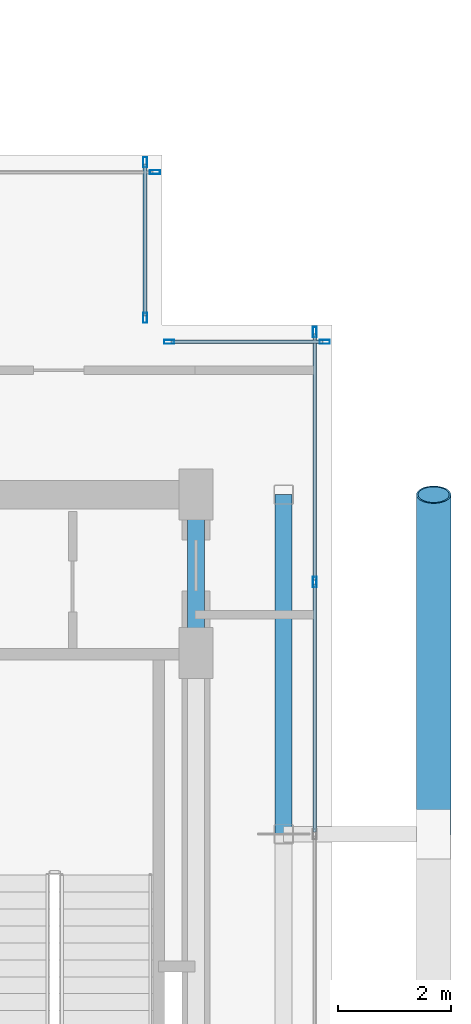
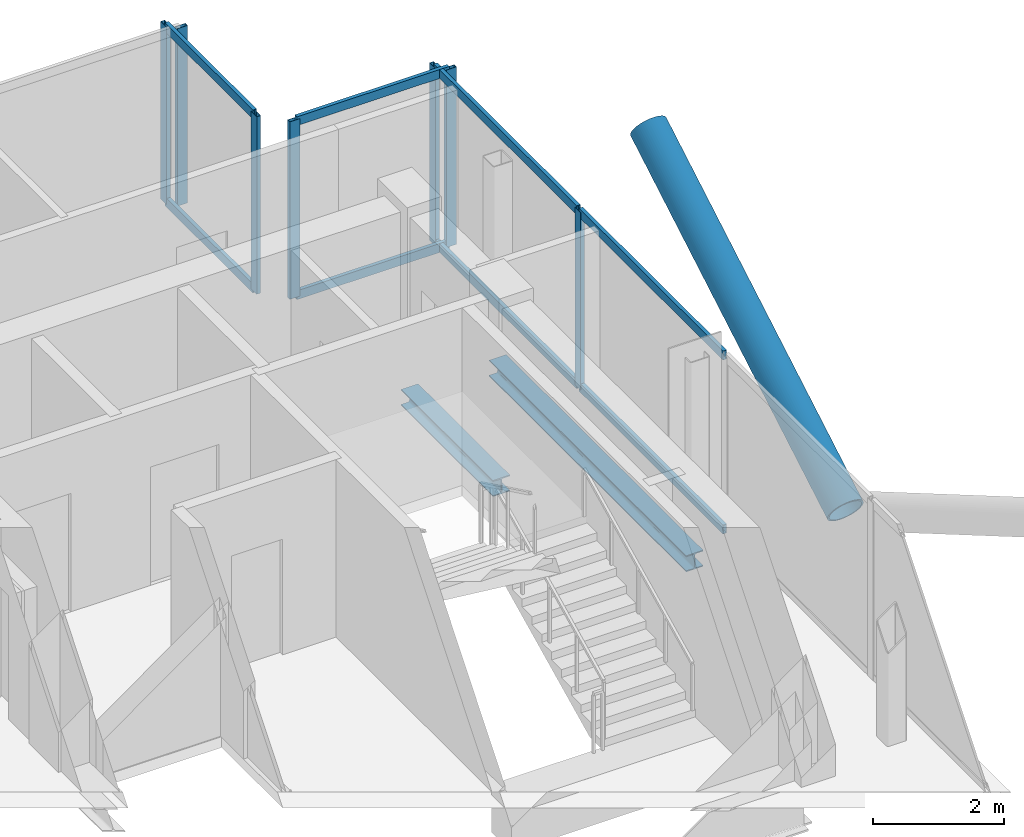
# One storey, part 12 of 18: 16 members, 2 beams, 4 elements without a shape of their own.
"""IFC4 building model written with IfcOpenShell, lengths in metres."""

from ifc_helpers import new_model, si_unit, direction, frame, origin, origin_2d, place, context, subcontext, project, spatial, hollow_rectangle, hollow_circle, i_section, extrude, material, layer, layer_set, material_profile, profile_set, type_object, element, aggregate, save


model = new_model("IFC4")

# Units and contexts
model_context = context("Model", 3, precision=1e-05, world=origin(), true_north=direction((0.0, 1.0)))
body_context = subcontext(model_context, "Body", "Model", "MODEL_VIEW")
ifc_project = project(units=[si_unit("LENGTHUNIT", "METRE"), si_unit("AREAUNIT", "SQUARE_METRE"), si_unit("VOLUMEUNIT", "CUBIC_METRE"), si_unit("PLANEANGLEUNIT", "RADIAN"), si_unit("MASSUNIT", "GRAM", prefix="KILO"), si_unit("THERMODYNAMICTEMPERATUREUNIT", "KELVIN"), si_unit("POWERUNIT", "WATT")], contexts=[model_context])

# Site, building, storey
site_placement = place(None, origin())
site = spatial("IfcSite", under=ifc_project, at=site_placement, CompositionType="ELEMENT")
building_placement = place(site_placement, origin())
building = spatial("IfcBuilding", under=site, at=building_placement, Name="Svarakhadi Broadcast Tower", CompositionType="ELEMENT")
storey_placement = place(building_placement, frame((0.0, 0.0, 260.699951171875)))
storey = spatial("IfcBuildingStorey", under=building, at=storey_placement, Name="L65", CompositionType="ELEMENT", Elevation=260.699951171875)

# Curtain wall, member
ifc_material_1 = material(Name="Anodised Bronze Aluminium AA 6063-T6", Category="aluminium")
ifc_layer = layer(ifc_material_1, 0.179931640625)
ifc_layer_set = layer_set([ifc_layer], Name="Anodised Bronze Aluminium AA 6063-T6")
curtain_wall_type = type_object("IfcCurtainWallType", Name="CW_Sys_05", PredefinedType="NOTDEFINED", material=ifc_layer_set)
curtain_wall_1_placement = place(storey_placement, origin())
curtain_wall_1 = element("IfcCurtainWall", 1, at=curtain_wall_1_placement, inside=storey, type_object=curtain_wall_type, Name="L65 Unitised Facade Curtain Wall 09", PredefinedType="NOTDEFINED")
ifc_material_profile_1 = material_profile(ifc_material_1, hollow_rectangle(XDim=0.070068359375, YDim=0.179931640625, WallThickness=0.005615234375, at=origin_2d()), Name="ALU MULLION 180x70x6")
ifc_profile_set_1 = profile_set([ifc_material_profile_1], Name="Anodised Bronze Aluminium AA 6063-T6")
member_type_1 = type_object("IfcMemberType", Name="CW_Sys_05_Mul", PredefinedType="MULLION", material=ifc_profile_set_1)
member_1_placement = place(storey_placement, frame((32.875, 23.699951171875, 0.0), z_axis=(0.0, 0.0, 1.0), x_axis=(0.0, 1.0, 0.0)))
member_1 = element("IfcMember", 2, at=member_1_placement, type_object=member_type_1, Name="CW-05 mullion 2", PredefinedType="MULLION", context=body_context, shape_type="SweptSolid", body=[
    extrude(hollow_rectangle(XDim=0.070068359375, YDim=0.179931640625, WallThickness=0.005615234375, at=origin_2d()), origin(), (0.0, 0.0, 1.0), 3.300048828125),
])
aggregate(curtain_wall_1, [member_1])

# Curtain wall, members
curtain_wall_2_placement = place(storey_placement, origin())
curtain_wall_2 = element("IfcCurtainWall", 3, at=curtain_wall_2_placement, inside=storey, type_object=curtain_wall_type, Name="L65 Unitised Facade Curtain Wall 10", PredefinedType="NOTDEFINED")
member_2_placement = place(storey_placement, frame((32.699951171875, 23.875, 0.0), z_axis=(0.0, 0.0, 1.0), x_axis=(1.0, 0.0, 0.0)))
member_2 = element("IfcMember", 4, at=member_2_placement, type_object=member_type_1, Name="CW-05 mullion 1", PredefinedType="MULLION", context=body_context, shape_type="SweptSolid", body=[
    extrude(hollow_rectangle(XDim=0.070068359375, YDim=0.179931640625, WallThickness=0.005615234375, at=origin_2d()), origin(), (0.0, 0.0, 1.0), 3.300048828125),
])
member_3_placement = place(storey_placement, frame((32.699951171875, 21.125, 0.0), z_axis=(0.0, 0.0, 1.0), x_axis=(1.0, 0.0, 0.0)))
member_3 = element("IfcMember", 5, at=member_3_placement, type_object=member_type_1, Name="CW-05 mullion 2", PredefinedType="MULLION", context=body_context, shape_type="SweptSolid", body=[
    extrude(hollow_rectangle(XDim=0.070068359375, YDim=0.179931640625, WallThickness=0.005615234375, at=origin_2d()), origin(), (0.0, 0.0, 1.0), 3.300048828125),
])

curtain_wall_3_placement = place(storey_placement, origin())
curtain_wall_3 = element("IfcCurtainWall", 6, at=curtain_wall_3_placement, inside=storey, type_object=curtain_wall_type, Name="L65 Unitised Facade Curtain Wall 11", PredefinedType="NOTDEFINED")
member_4_placement = place(storey_placement, frame((33.125, 20.699951171875, 0.0), z_axis=(0.0, 0.0, 1.0), x_axis=(0.0, 1.0, 0.0)))
member_4 = element("IfcMember", 7, at=member_4_placement, type_object=member_type_1, Name="CW-05 mullion 1", PredefinedType="MULLION", context=body_context, shape_type="SweptSolid", body=[
    extrude(hollow_rectangle(XDim=0.070068359375, YDim=0.179931640625, WallThickness=0.005615234375, at=origin_2d()), origin(), (0.0, 0.0, 1.0), 3.300048828125),
])
member_5_placement = place(storey_placement, frame((35.875, 20.699951171875, 0.0), z_axis=(0.0, 0.0, 1.0), x_axis=(0.0, 1.0, 0.0)))
member_5 = element("IfcMember", 8, at=member_5_placement, type_object=member_type_1, Name="CW-05 mullion 2", PredefinedType="MULLION", context=body_context, shape_type="SweptSolid", body=[
    extrude(hollow_rectangle(XDim=0.070068359375, YDim=0.179931640625, WallThickness=0.005615234375, at=origin_2d()), origin(), (0.0, 0.0, 1.0), 3.300048828125),
])

curtain_wall_4_placement = place(storey_placement, origin())
curtain_wall_4 = element("IfcCurtainWall", 9, at=curtain_wall_4_placement, inside=storey, type_object=curtain_wall_type, Name="L65 Unitised Facade Curtain Wall 12", PredefinedType="NOTDEFINED")
member_6_placement = place(storey_placement, frame((35.699951171875, 20.875, 0.0), z_axis=(0.0, 0.0, 1.0), x_axis=(1.0, 0.0, 0.0)))
member_6 = element("IfcMember", 10, at=member_6_placement, type_object=member_type_1, Name="CW-05 mullion 1", PredefinedType="MULLION", context=body_context, shape_type="SweptSolid", body=[
    extrude(hollow_rectangle(XDim=0.070068359375, YDim=0.179931640625, WallThickness=0.005615234375, at=origin_2d()), origin(), (0.0, 0.0, 1.0), 3.300048828125),
])
member_7_placement = place(storey_placement, frame((35.699951171875, 16.455078125, 0.0), z_axis=(0.0, 0.0, 1.0), x_axis=(1.0, 0.0, 0.0)))
member_7 = element("IfcMember", 11, at=member_7_placement, type_object=member_type_1, Name="CW-05 mullion 2", PredefinedType="MULLION", context=body_context, shape_type="SweptSolid", body=[
    extrude(hollow_rectangle(XDim=0.070068359375, YDim=0.179931640625, WallThickness=0.005615234375, at=origin_2d()), origin(), (0.0, 0.0, 1.0), 3.300048828125),
])

# Member
ifc_material_profile_2 = material_profile(ifc_material_1, hollow_rectangle(XDim=0.06494140625, YDim=0.1650390625, WallThickness=0.0048828125, at=origin_2d()), Name="ALU TRANSOM 165x65x5")
ifc_profile_set_2 = profile_set([ifc_material_profile_2], Name="Anodised Bronze Aluminium AA 6063-T6")
member_type_2 = type_object("IfcMemberType", Name="CW_Sys_05_Trn", PredefinedType="USERDEFINED", material=ifc_profile_set_2)
member_8_placement = place(storey_placement, frame((32.699951171875, 23.840087890625, 0.032470703125), z_axis=(0.0, -1.0, 0.0), x_axis=(1.0, 0.0, 0.0)))
member_8 = element("IfcMember", 12, at=member_8_placement, type_object=member_type_2, Name="CW-05 transom 1.1", ObjectType="TRANSOM", PredefinedType="USERDEFINED", context=body_context, shape_type="SweptSolid", body=[
    extrude(hollow_rectangle(XDim=0.06494140625, YDim=0.1650390625, WallThickness=0.0048828125, at=origin_2d()), origin(), (0.0, 0.0, 1.0), 2.68017578125),
])

member_9_placement = place(storey_placement, frame((32.699951171875, 23.840087890625, 3.267578125), z_axis=(0.0, -1.0, 0.0), x_axis=(1.0, 0.0, 0.0)))
member_9 = element("IfcMember", 13, at=member_9_placement, type_object=member_type_2, Name="CW-05 transom 1.2", ObjectType="TRANSOM", PredefinedType="USERDEFINED", context=body_context, shape_type="SweptSolid", body=[
    extrude(hollow_rectangle(XDim=0.06494140625, YDim=0.1650390625, WallThickness=0.0048828125, at=origin_2d()), origin(), (0.0, 0.0, 1.0), 2.68017578125),
])

aggregate(curtain_wall_2, [member_2, member_3, member_8, member_9])

member_10_placement = place(storey_placement, frame((33.159912109375, 20.699951171875, 0.032470703125), z_axis=(1.0, 0.0, 0.0), x_axis=(0.0, 1.0, 0.0)))
member_10 = element("IfcMember", 14, at=member_10_placement, type_object=member_type_2, Name="CW-05 transom 1.1", ObjectType="TRANSOM", PredefinedType="USERDEFINED", context=body_context, shape_type="SweptSolid", body=[
    extrude(hollow_rectangle(XDim=0.06494140625, YDim=0.1650390625, WallThickness=0.0048828125, at=origin_2d()), origin(), (0.0, 0.0, 1.0), 2.68017578125),
])

member_11_placement = place(storey_placement, frame((33.159912109375, 20.699951171875, 3.267578125), z_axis=(1.0, 0.0, 0.0), x_axis=(0.0, 1.0, 0.0)))
member_11 = element("IfcMember", 15, at=member_11_placement, type_object=member_type_2, Name="CW-05 transom 1.2", ObjectType="TRANSOM", PredefinedType="USERDEFINED", context=body_context, shape_type="SweptSolid", body=[
    extrude(hollow_rectangle(XDim=0.06494140625, YDim=0.1650390625, WallThickness=0.0048828125, at=origin_2d()), origin(), (0.0, 0.0, 1.0), 2.68017578125),
])

aggregate(curtain_wall_3, [member_4, member_5, member_10, member_11])

member_12_placement = place(storey_placement, frame((35.699951171875, 20.840087890625, 0.032470703125), z_axis=(0.0, -1.0, 0.0), x_axis=(1.0, 0.0, 0.0)))
member_12 = element("IfcMember", 16, at=member_12_placement, type_object=member_type_2, Name="CW-05 transom 1.1", ObjectType="TRANSOM", PredefinedType="USERDEFINED", context=body_context, shape_type="SweptSolid", body=[
    extrude(hollow_rectangle(XDim=0.06494140625, YDim=0.1650390625, WallThickness=0.0048828125, at=origin_2d()), origin(), (0.0, 0.0, 1.0), 4.35009765625),
])

member_13_placement = place(storey_placement, frame((35.699951171875, 20.840087890625, 3.267578125), z_axis=(0.0, -1.0, 0.0), x_axis=(1.0, 0.0, 0.0)))
member_13 = element("IfcMember", 17, at=member_13_placement, type_object=member_type_2, Name="CW-05 transom 1.2", ObjectType="TRANSOM", PredefinedType="USERDEFINED", context=body_context, shape_type="SweptSolid", body=[
    extrude(hollow_rectangle(XDim=0.06494140625, YDim=0.1650390625, WallThickness=0.0048828125, at=origin_2d()), origin(), (0.0, 0.0, 1.0), 4.35009765625),
])

member_14_placement = place(storey_placement, frame((35.699951171875, 16.419921875, 0.032470703125), z_axis=(0.0, -1.0, 0.0), x_axis=(1.0, 0.0, 0.0)))
member_14 = element("IfcMember", 18, at=member_14_placement, type_object=member_type_2, Name="CW-05 transom 2.1", ObjectType="TRANSOM", PredefinedType="USERDEFINED", context=body_context, shape_type="SweptSolid", body=[
    extrude(hollow_rectangle(XDim=0.06494140625, YDim=0.1650390625, WallThickness=0.0048828125, at=origin_2d()), origin(), (0.0, 0.0, 1.0), 4.385009765625),
])

member_15_placement = place(storey_placement, frame((35.699951171875, 16.419921875, 3.267578125), z_axis=(0.0, -1.0, 0.0), x_axis=(1.0, 0.0, 0.0)))
member_15 = element("IfcMember", 19, at=member_15_placement, type_object=member_type_2, Name="CW-05 transom 2.2", ObjectType="TRANSOM", PredefinedType="USERDEFINED", context=body_context, shape_type="SweptSolid", body=[
    extrude(hollow_rectangle(XDim=0.06494140625, YDim=0.1650390625, WallThickness=0.0048828125, at=origin_2d()), origin(), (0.0, 0.0, 1.0), 4.385009765625),
])

aggregate(curtain_wall_4, [member_6, member_7, member_12, member_13, member_14, member_15])

ifc_material_2 = material(Name="Steel S460ML (IS 2062 E450BR)", Category="steel")
ifc_material_profile_3 = material_profile(ifc_material_2, hollow_circle(Radius=0.304931640625, WallThickness=0.030029296875, at=origin_2d()), Name="CHS 610x30")
ifc_profile_set_3 = profile_set([ifc_material_profile_3], Name="Steel S460ML (IS 2062 E450BR)")
member_type_3 = type_object("IfcMemberType", Name="Exo_Brace_CHS610", PredefinedType="BRACE", material=ifc_profile_set_3)
member_16_placement = place(storey_placement, frame((37.800048828125, 12.0, -0.33642578125), z_axis=(0.0, 0.863778900898, 0.503871025524), x_axis=(-1.0, 0.0, 0.0)))
element("IfcMember", 20, at=member_16_placement, inside=storey, type_object=member_type_3, Name="L65 Exposed Bronze Exoskeleton Diagonal E05", PredefinedType="BRACE", context=body_context, shape_type="SweptSolid", body=[
    extrude(hollow_circle(Radius=0.304931640625, WallThickness=0.030029296875, at=origin_2d()), origin(), (0.0, 0.0, 1.0), 6.9462890625),
])

# Beams
ifc_material_3 = material(Name="Steel S355J2 (IS 2062 E350C)", Category="steel")
ifc_material_profile_4 = material_profile(ifc_material_3, i_section(OverallWidth=0.300048828125, OverallDepth=0.300048828125, WebThickness=0.010986328125, FlangeThickness=0.01904296875, FilletRadius=0.027099609375, at=origin_2d()), Name="WPB 300x300x117")
ifc_profile_set_4 = profile_set([ifc_material_profile_4], Name="Steel S355J2 (IS 2062 E350C)")
beam_type = type_object("IfcBeamType", Name="Girder_WPB300", PredefinedType="USERDEFINED", material=ifc_profile_set_4)
beam_1_placement = place(storey_placement, frame((33.60009765625, 15.199951171875, -0.349853515625), z_axis=(0.0, 1.0, 0.0), x_axis=(-1.0, 0.0, 0.0)))
element("IfcBeam", 21, at=beam_1_placement, inside=storey, type_object=beam_type, Name="L65 Primary N-S Girder G044", ObjectType="GIRDER", PredefinedType="USERDEFINED", context=body_context, shape_type="SweptSolid", body=[
    extrude(i_section(OverallWidth=0.300048828125, OverallDepth=0.300048828125, WebThickness=0.010986328125, FlangeThickness=0.01904296875, FilletRadius=0.027099609375, at=origin_2d()), origin(), (0.0, 0.0, 1.0), 2.800048828125),
])
beam_2_placement = place(storey_placement, frame((35.14990234375, 12.0, -0.349853515625), z_axis=(0.0, 1.0, 0.0), x_axis=(-1.0, 0.0, 0.0)))
element("IfcBeam", 22, at=beam_2_placement, inside=storey, type_object=beam_type, Name="L65 Primary N-S Girder G046", ObjectType="GIRDER", PredefinedType="USERDEFINED", context=body_context, shape_type="SweptSolid", body=[
    extrude(i_section(OverallWidth=0.300048828125, OverallDepth=0.300048828125, WebThickness=0.010986328125, FlangeThickness=0.01904296875, FilletRadius=0.027099609375, at=origin_2d()), origin(), (0.0, 0.0, 1.0), 6.0),
])

save(model, "model.ifc")
